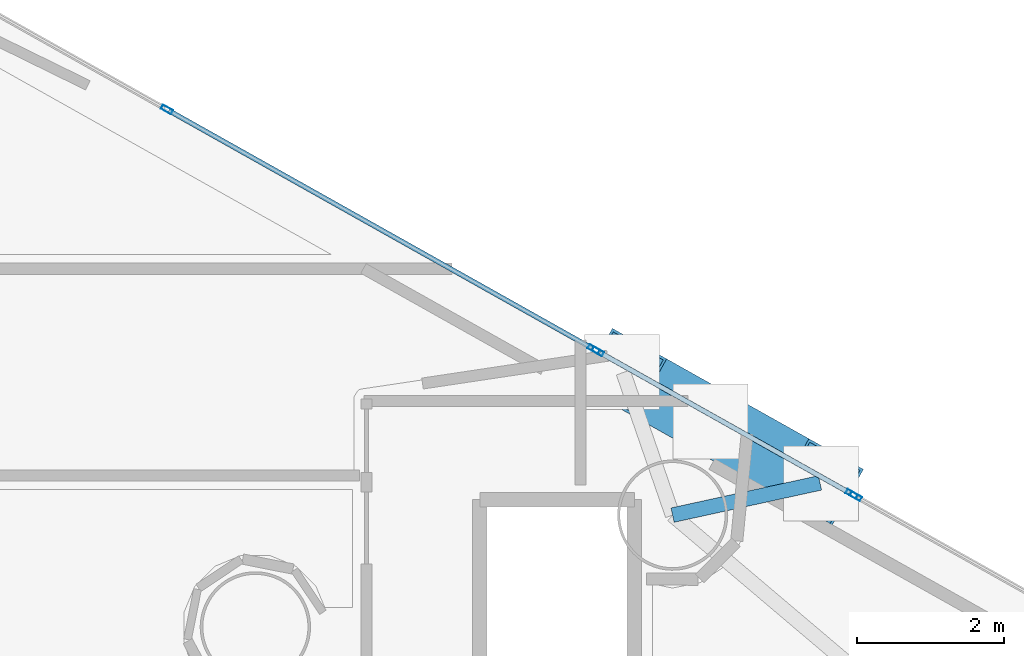
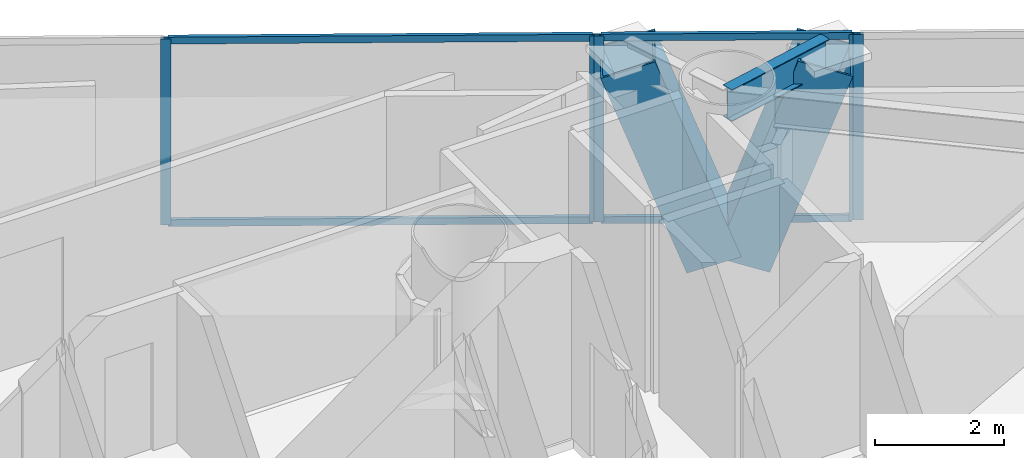
# One storey, part 10 of 19: 11 members, 1 beam, 3 elements without a shape of their own.
"""IFC4 building model written with IfcOpenShell, lengths in metres."""

import ifcopenshell
import ifcopenshell.guid

model = None  # the IFC model being written
_history = None  # IfcOwnerHistory: only IFC2X3 demands one
_inside = {}  # id of a spatial element -> (the spatial element, [elements in it])
_under = {}  # id of a project, library or spatial element -> (it, [spatial elements below it])
_declared = {}  # id of a project -> (the project, [libraries it declares])
_typed = {}  # id of a type object -> (the type object, [elements of that type])
_made_of = {}  # id of a material, layer set ... -> (it, [elements and type objects made of it])


def new_model(schema):
    """Start an empty IFC model of exactly this schema.

    Asked for "IFC4X3", IfcOpenShell would pick the latest addendum, in which some entities
    have other attributes; the version numbers below select the first issue.
    IFC2X3 requires an IfcOwnerHistory on every rooted entity: one is made here for all.
    """
    global model, _history
    if schema == "IFC4X3":
        model = ifcopenshell.file(schema_version=(4, 3, 0, 0))
    else:
        model = ifcopenshell.file(schema=schema)
    _inside.clear()
    _under.clear()
    _declared.clear()
    _typed.clear()
    _made_of.clear()
    _history = None
    if model.schema == "IFC2X3":
        org = make("IfcOrganization", Name="unknown")
        user = make(
            "IfcPersonAndOrganization",
            ThePerson=make("IfcPerson", FamilyName="unknown"),
            TheOrganization=org,
        )
        app = make(
            "IfcApplication",
            ApplicationDeveloper=org,
            Version="unknown",
            ApplicationFullName="unknown",
            ApplicationIdentifier="unknown",
        )
        _history = make(
            "IfcOwnerHistory",
            OwningUser=user,
            OwningApplication=app,
            ChangeAction="ADDED",
            CreationDate=0,
        )
    return model


def make(cls, **values):
    """One entity of the class cls with the attributes given. An attribute that is None is left unset."""
    return model.create_entity(
        cls, **{name: value for name, value in values.items() if value is not None}
    )


def rooted(cls, **values):
    """An entity with a GlobalId (a new one), such as an element, a storey or a relation."""
    return make(cls, GlobalId=ifcopenshell.guid.new(), OwnerHistory=_history, **values)


def si_unit(unit_type, name, prefix=None):
    """IfcSIUnit, for example si_unit("LENGTHUNIT", "METRE", prefix="MILLI")."""
    return make("IfcSIUnit", UnitType=unit_type, Prefix=prefix, Name=name)


def assignment(units):
    """IfcUnitAssignment: the units of a project."""
    return None if units is None else make("IfcUnitAssignment", Units=units)


def point(xyz):
    """IfcCartesianPoint."""
    return None if xyz is None else make("IfcCartesianPoint", Coordinates=xyz)


def direction(xyz):
    """IfcDirection."""
    return None if xyz is None else make("IfcDirection", DirectionRatios=xyz)


def frame(location, z_axis=None, x_axis=None):
    """IfcAxis2Placement3D, a coordinate frame: its origin and axes. An axis left out is left unset."""
    return make(
        "IfcAxis2Placement3D",
        Location=point(location),
        Axis=direction(z_axis),
        RefDirection=direction(x_axis),
    )


def frame_2d(location, x_axis=None):
    """IfcAxis2Placement2D, a coordinate frame in the plane: its origin and x axis."""
    return make(
        "IfcAxis2Placement2D", Location=point(location), RefDirection=direction(x_axis)
    )


def origin():
    """The frame at (0, 0, 0) with its axes left unset."""
    return frame((0.0, 0.0, 0.0))


def origin_2d():
    """The frame at (0, 0) in the plane with its x axis left unset."""
    return frame_2d((0.0, 0.0))


def place(relative_to, where):
    """IfcLocalPlacement: puts the frame where relative to a parent placement (None: the world)."""
    return make(
        "IfcLocalPlacement", PlacementRelTo=relative_to, RelativePlacement=where
    )


def context(
    kind, dimensions, precision=None, world=None, true_north=None, identifier=None
):
    """IfcGeometricRepresentationContext, for example the 3D "Model" context."""
    return make(
        "IfcGeometricRepresentationContext",
        ContextIdentifier=identifier,
        ContextType=kind,
        CoordinateSpaceDimension=dimensions,
        Precision=precision,
        WorldCoordinateSystem=world,
        TrueNorth=true_north,
    )


def subcontext(parent, identifier, kind, view, scale=None):
    """IfcGeometricRepresentationSubContext, for example "Body" below "Model"."""
    return make(
        "IfcGeometricRepresentationSubContext",
        ContextIdentifier=identifier,
        ContextType=kind,
        ParentContext=parent,
        TargetScale=scale,
        TargetView=view,
    )


def project(units=None, contexts=None):
    """IfcProject with its units and contexts."""
    return rooted(
        "IfcProject",
        Name="project",
        RepresentationContexts=contexts,
        UnitsInContext=assignment(units),
    )


def spatial(cls, under=None, at=None, **own):
    """A site, building, storey or space (cls), placed at a placement, below another one or the project."""
    s = rooted(cls, ObjectPlacement=at, **own)
    if under is not None:
        _under.setdefault(under.id(), (under, []))[1].append(s)
    return s


def profile(cls, at=None, kind="AREA", **sizes):
    """A parametric profile (cls). Its sizes go by their IFC names, for example OverallWidth=200.0."""
    return make(cls, ProfileType=kind, Position=at, **sizes)


def hollow_rectangle(**sizes):
    """IfcRectangleHollowProfileDef."""
    return profile("IfcRectangleHollowProfileDef", **sizes)


def i_section(**sizes):
    """IfcIShapeProfileDef."""
    return profile("IfcIShapeProfileDef", **sizes)


def extrude(swept, where, along, depth):
    """IfcExtrudedAreaSolid: the profile swept, set in the frame where, extruded along a direction by depth."""
    return make(
        "IfcExtrudedAreaSolid",
        SweptArea=swept,
        Position=where,
        ExtrudedDirection=direction(along),
        Depth=depth,
    )


def shape(context_of_items, identifier, shape_type, items):
    """IfcShapeRepresentation: the items that make up one representation, for example the "Body"."""
    return make(
        "IfcShapeRepresentation",
        ContextOfItems=context_of_items,
        RepresentationIdentifier=identifier,
        RepresentationType=shape_type,
        Items=items,
    )


def material(Name=None, Category=None):
    """IfcMaterial."""
    return make("IfcMaterial", Name=Name, Category=Category)


def layer(
    of_material, thickness, ventilated=None, Name=None, Category=None, Priority=None
):
    """IfcMaterialLayer: one layer of a wall or slab, of a material (None: an air gap)."""
    return make(
        "IfcMaterialLayer",
        Material=of_material,
        LayerThickness=thickness,
        IsVentilated=ventilated,
        Name=Name,
        Category=Category,
        Priority=Priority,
    )


def layer_set(layers, Name=None):
    """IfcMaterialLayerSet."""
    return make("IfcMaterialLayerSet", MaterialLayers=layers, LayerSetName=Name)


def material_profile(
    of_material, cross_section, Name=None, Category=None, Priority=None
):
    """IfcMaterialProfile: a cross section and its material."""
    return make(
        "IfcMaterialProfile",
        Name=Name,
        Material=of_material,
        Profile=cross_section,
        Priority=Priority,
        Category=Category,
    )


def profile_set(profiles, Name=None, composite=None):
    """IfcMaterialProfileSet."""
    return make(
        "IfcMaterialProfileSet",
        Name=Name,
        MaterialProfiles=profiles,
        CompositeProfile=composite,
    )


def made_of(thing, what):
    """Note that an element or type object is made of a material, layer set ...; save() writes the relation."""
    if what is not None:
        _made_of.setdefault(what.id(), (what, []))[1].append(thing)
    return thing


def type_object(cls, material=None, **own):
    """A type object (cls), such as IfcWallType, which elements share."""
    return made_of(rooted(cls, **own), material)


def element(
    cls,
    number,
    at=None,
    inside=None,
    cuts=None,
    type_object=None,
    material=None,
    context=None,
    identifier="Body",
    shape_type=None,
    held_by="IfcProductDefinitionShape",
    body=None,
    shapes=None,
    **own,
):
    """One element of the class cls, such as IfcWall. Its Tag is "e" and its number.

    at: its placement. inside: the storey or other place that contains it. cuts: it is an
    opening in that element (IfcRelVoidsElement). A single representation is given by context,
    identifier, shape_type and body (its items); several are given by shapes. held_by: the class
    of the entity that holds the representations. save() writes the other relations.
    """
    e = rooted(cls, Tag="e%d" % number, ObjectPlacement=at, **own)
    if body is not None:
        shapes = [shape(context, identifier, shape_type, body)]
    if shapes is not None:
        e.Representation = make(held_by, Representations=shapes)
    if inside is not None:
        _inside.setdefault(inside.id(), (inside, []))[1].append(e)
    if cuts is not None:
        rooted(
            "IfcRelVoidsElement", RelatingBuildingElement=cuts, RelatedOpeningElement=e
        )
    if type_object is not None:
        _typed.setdefault(type_object.id(), (type_object, []))[1].append(e)
    return made_of(e, material)


def aggregate(whole, parts):
    """IfcRelAggregates: a whole, such as a stair, and the parts it consists of."""
    return rooted("IfcRelAggregates", RelatingObject=whole, RelatedObjects=parts)


def save(model, path):
    """Write the relations noted so far, then the file.

    IfcRelAggregates (storeys below a building ...), IfcRelContainedInSpatialStructure (elements
    in a storey), IfcRelDefinesByType, IfcRelAssociatesMaterial and IfcRelDeclares: one each for
    every whole, place, type object, material and project.
    """
    for whole, parts in _under.values():
        aggregate(whole, parts)
    for where, things in _inside.values():
        rooted(
            "IfcRelContainedInSpatialStructure",
            RelatedElements=things,
            RelatingStructure=where,
        )
    for kind, things in _typed.values():
        rooted("IfcRelDefinesByType", RelatedObjects=things, RelatingType=kind)
    for what, things in _made_of.values():
        rooted("IfcRelAssociatesMaterial", RelatedObjects=things, RelatingMaterial=what)
    for by, libraries in _declared.values():
        rooted("IfcRelDeclares", RelatingContext=by, RelatedDefinitions=libraries)
    model.write(path)


model = new_model("IFC4")

# Units and contexts
model_context = context("Model", 3, precision=1e-05, world=origin(), true_north=direction((0.0, 1.0)))
body_context = subcontext(model_context, "Body", "Model", "MODEL_VIEW")
ifc_project = project(units=[si_unit("LENGTHUNIT", "METRE"), si_unit("AREAUNIT", "SQUARE_METRE"), si_unit("VOLUMEUNIT", "CUBIC_METRE"), si_unit("PLANEANGLEUNIT", "RADIAN"), si_unit("MASSUNIT", "GRAM", prefix="KILO")], contexts=[model_context])

# Site, building, storey
site_placement = place(None, origin())
site = spatial("IfcSite", under=ifc_project, at=site_placement, CompositionType="ELEMENT")
building_placement = place(site_placement, origin())
building = spatial("IfcBuilding", under=site, at=building_placement, Name="Qianvela Tower", CompositionType="ELEMENT")
storey_placement = place(building_placement, frame((0.0, 0.0, 123.699951171875)))
storey = spatial("IfcBuildingStorey", under=building, at=storey_placement, Name="L31", CompositionType="ELEMENT", Elevation=123.699951171875)

# Beam
ifc_material_1 = material(Name="Steel Q355B", Category="steel")
ifc_material_profile_1 = material_profile(ifc_material_1, i_section(OverallWidth=0.199951171875, OverallDepth=0.60009765625, WebThickness=0.010986328125, FlangeThickness=0.01708984375, at=origin_2d()), Name="HN600x200x11x17")
ifc_profile_set_1 = profile_set([ifc_material_profile_1], Name="Steel Q355B")
beam_type = type_object("IfcBeamType", Name="BM-HN600-GIRD", PredefinedType="BEAM", material=ifc_profile_set_1)
beam_placement = place(storey_placement, frame((44.071044921875, 35.070068359375, 3.218017578125), z_axis=(0.976951249885, 0.213462538514, 0.0), x_axis=(-0.213462538514, 0.976951249885, 0.0)))
element("IfcBeam", 1, at=beam_placement, inside=storey, type_object=beam_type, Name="L31 Mega-Brace Column Tie Bracket F1-1", PredefinedType="BEAM", context=body_context, shape_type="SweptSolid", body=[
    extrude(i_section(OverallWidth=0.199951171875, OverallDepth=0.60009765625, WebThickness=0.010986328125, FlangeThickness=0.01708984375, at=origin_2d()), origin(), (0.0, 0.0, 1.0), 2.05078125),
])

# Curtain wall, members
ifc_material_2 = material(Name="Anodised Architectural Aluminium and Insulated Spandrel Panel", Category="aluminium")
ifc_layer_1 = layer(ifc_material_2, 0.179931640625)
ifc_layer_set_1 = layer_set([ifc_layer_1], Name="Anodised Architectural Aluminium and Insulated Spandrel Panel")
curtain_wall_type_1 = type_object("IfcCurtainWallType", Name="CW-BRACEBAY", PredefinedType="USERDEFINED", material=ifc_layer_set_1)
curtain_wall_1_placement = place(storey_placement, origin())
curtain_wall_1 = element("IfcCurtainWall", 2, at=curtain_wall_1_placement, inside=storey, type_object=curtain_wall_type_1, Name="L31 CW-BRACEBAY Curtain Wall 02B", ObjectType="CURTAIN_WALL_SYSTEM", PredefinedType="USERDEFINED")
ifc_material_3 = material(Name="Anodised Architectural Aluminium 6063-T6", Category="aluminium")
ifc_material_profile_2 = material_profile(ifc_material_3, hollow_rectangle(XDim=0.06494140625, YDim=0.159912109375, WallThickness=0.0048828125, at=origin_2d()), Name="ALU-MULL-65x160")
ifc_profile_set_2 = profile_set([ifc_material_profile_2], Name="Anodised Architectural Aluminium 6063-T6")
member_type_1 = type_object("IfcMemberType", Name="CW-BRACEBAY-MULL", PredefinedType="MULLION", material=ifc_profile_set_2)
member_1_placement = place(storey_placement, frame((46.504150390625, 35.358154296875, 0.0), z_axis=(0.0, 0.0, 1.0), x_axis=(-0.489593820372, -0.871950624206, 0.0)))
member_1 = element("IfcMember", 3, at=member_1_placement, type_object=member_type_1, Name="CW-9 mullion 1", PredefinedType="MULLION", context=body_context, shape_type="SweptSolid", body=[
    extrude(hollow_rectangle(XDim=0.06494140625, YDim=0.159912109375, WallThickness=0.0048828125, at=origin_2d()), origin(), (0.0, 0.0, 1.0), 3.52001953125),
])
member_2_placement = place(storey_placement, frame((43.055419921875, 37.29443359375, 0.0), z_axis=(0.0, 0.0, 1.0), x_axis=(-0.489593820372, -0.871950624206, 0.0)))
member_2 = element("IfcMember", 4, at=member_2_placement, type_object=member_type_1, Name="CW-9 mullion 2", PredefinedType="MULLION", context=body_context, shape_type="SweptSolid", body=[
    extrude(hollow_rectangle(XDim=0.06494140625, YDim=0.159912109375, WallThickness=0.0048828125, at=origin_2d()), origin(), (0.0, 0.0, 1.0), 3.52001953125),
])
ifc_material_4 = material(Name="Anodised Architectural Aluminium 6063-T6", Category="aluminium")
ifc_material_profile_3 = material_profile(ifc_material_4, hollow_rectangle(XDim=0.06494140625, YDim=0.1298828125, WallThickness=0.00439453125, at=origin_2d()), Name="ALU-TRAN-65x130")
ifc_profile_set_3 = profile_set([ifc_material_profile_3], Name="Anodised Architectural Aluminium 6063-T6")
member_type_2 = type_object("IfcMemberType", Name="CW-BRACEBAY-TRAN", PredefinedType="USERDEFINED", material=ifc_profile_set_3)
member_3_placement = place(storey_placement, frame((46.475830078125, 35.3740234375, 0.032470703125), z_axis=(-0.871945711641, 0.489602569388, 0.0), x_axis=(-0.489602569388, -0.871945711641, 0.0)))
member_3 = element("IfcMember", 5, at=member_3_placement, type_object=member_type_2, Name="CW-9 transom 1.1", ObjectType="TRANSOM", PredefinedType="USERDEFINED", context=body_context, shape_type="SweptSolid", body=[
    extrude(hollow_rectangle(XDim=0.06494140625, YDim=0.1298828125, WallThickness=0.00439453125, at=origin_2d()), origin(), (0.0, 0.0, 1.0), 3.889892578125),
])
member_4_placement = place(storey_placement, frame((46.475830078125, 35.3740234375, 3.487548828125), z_axis=(-0.871945711641, 0.489602569388, 0.0), x_axis=(-0.489602569388, -0.871945711641, 0.0)))
member_4 = element("IfcMember", 6, at=member_4_placement, type_object=member_type_2, Name="CW-9 transom 1.2", ObjectType="TRANSOM", PredefinedType="USERDEFINED", context=body_context, shape_type="SweptSolid", body=[
    extrude(hollow_rectangle(XDim=0.06494140625, YDim=0.1298828125, WallThickness=0.00439453125, at=origin_2d()), origin(), (0.0, 0.0, 1.0), 3.889892578125),
])
aggregate(curtain_wall_1, [member_1, member_2, member_3, member_4])

# Curtain wall, member
ifc_material_5 = material(Name="Anodised Architectural Aluminium and Low-E Glass", Category="aluminium")
ifc_layer_2 = layer(ifc_material_5, 0.169921875)
ifc_layer_set_2 = layer_set([ifc_layer_2], Name="Anodised Architectural Aluminium and Low-E Glass")
curtain_wall_type_2 = type_object("IfcCurtainWallType", Name="CW-COLIV-Z34", PredefinedType="USERDEFINED", material=ifc_layer_set_2)
curtain_wall_2_placement = place(storey_placement, origin())
curtain_wall_2 = element("IfcCurtainWall", 7, at=curtain_wall_2_placement, inside=storey, type_object=curtain_wall_type_2, Name="L31 CW-COLIV-Z34 Curtain Wall 02A", ObjectType="CURTAIN_WALL_SYSTEM", PredefinedType="USERDEFINED")
ifc_material_6 = material(Name="Anodised Architectural Aluminium 6063-T6", Category="aluminium")
ifc_material_profile_4 = material_profile(ifc_material_6, hollow_rectangle(XDim=0.06494140625, YDim=0.159912109375, WallThickness=0.0048828125, at=origin_2d()), Name="ALU-MULL-65x160")
ifc_profile_set_4 = profile_set([ifc_material_profile_4], Name="Anodised Architectural Aluminium 6063-T6")
member_type_3 = type_object("IfcMemberType", Name="CW-COLIV-Z34-MULL", PredefinedType="MULLION", material=ifc_profile_set_4)
member_5_placement = place(storey_placement, frame((46.560791015625, 35.326171875, 0.0), z_axis=(0.0, 0.0, 1.0), x_axis=(-0.48957603275, -0.871960611586, 0.0)))
member_5 = element("IfcMember", 8, at=member_5_placement, type_object=member_type_3, Name="CW-4 mullion 3", PredefinedType="MULLION", context=body_context, shape_type="SweptSolid", body=[
    extrude(hollow_rectangle(XDim=0.06494140625, YDim=0.159912109375, WallThickness=0.0048828125, at=origin_2d()), origin(), (0.0, 0.0, 1.0), 3.52001953125),
])
aggregate(curtain_wall_2, [member_5])

# Curtain wall, members
curtain_wall_3_placement = place(storey_placement, origin())
curtain_wall_3 = element("IfcCurtainWall", 9, at=curtain_wall_3_placement, inside=storey, type_object=curtain_wall_type_2, Name="L31 CW-COLIV-Z34 Curtain Wall 02C", ObjectType="CURTAIN_WALL_SYSTEM", PredefinedType="USERDEFINED")
member_6_placement = place(storey_placement, frame((42.998779296875, 37.326416015625, 0.0), z_axis=(0.0, 0.0, 1.0), x_axis=(-0.489576251563, -0.87196048873, 0.0)))
member_6 = element("IfcMember", 10, at=member_6_placement, type_object=member_type_3, Name="CW-4 mullion 1", PredefinedType="MULLION", context=body_context, shape_type="SweptSolid", body=[
    extrude(hollow_rectangle(XDim=0.06494140625, YDim=0.159912109375, WallThickness=0.0048828125, at=origin_2d()), origin(), (0.0, 0.0, 1.0), 3.52001953125),
])
member_7_placement = place(storey_placement, frame((37.19677734375, 40.583984375, 0.0), z_axis=(0.0, 0.0, 1.0), x_axis=(-0.489576251563, -0.87196048873, 0.0)))
member_7 = element("IfcMember", 11, at=member_7_placement, type_object=member_type_3, Name="CW-4 mullion 2", PredefinedType="MULLION", context=body_context, shape_type="SweptSolid", body=[
    extrude(hollow_rectangle(XDim=0.06494140625, YDim=0.159912109375, WallThickness=0.0048828125, at=origin_2d()), origin(), (0.0, 0.0, 1.0), 3.52001953125),
])
ifc_material_7 = material(Name="Anodised Architectural Aluminium 6063-T6", Category="aluminium")
ifc_material_profile_5 = material_profile(ifc_material_7, hollow_rectangle(XDim=0.06494140625, YDim=0.1298828125, WallThickness=0.00439453125, at=origin_2d()), Name="ALU-TRAN-65x130")
ifc_profile_set_5 = profile_set([ifc_material_profile_5], Name="Anodised Architectural Aluminium 6063-T6")
member_type_4 = type_object("IfcMemberType", Name="CW-COLIV-Z34-TRAN", PredefinedType="USERDEFINED", material=ifc_profile_set_5)
member_8_placement = place(storey_placement, frame((42.970458984375, 37.34228515625, 0.032470703125), z_axis=(-0.871960198315, 0.489576768807, 0.0), x_axis=(-0.489576768807, -0.871960198315, 0.0)))
member_8 = element("IfcMember", 12, at=member_8_placement, type_object=member_type_4, Name="CW-4 transom 1.1", ObjectType="TRANSOM", PredefinedType="USERDEFINED", context=body_context, shape_type="SweptSolid", body=[
    extrude(hollow_rectangle(XDim=0.06494140625, YDim=0.1298828125, WallThickness=0.00439453125, at=origin_2d()), origin(), (0.0, 0.0, 1.0), 6.589111328125),
])
member_9_placement = place(storey_placement, frame((42.970458984375, 37.34228515625, 3.487548828125), z_axis=(-0.871960198315, 0.489576768807, 0.0), x_axis=(-0.489576768807, -0.871960198315, 0.0)))
member_9 = element("IfcMember", 13, at=member_9_placement, type_object=member_type_4, Name="CW-4 transom 1.2", ObjectType="TRANSOM", PredefinedType="USERDEFINED", context=body_context, shape_type="SweptSolid", body=[
    extrude(hollow_rectangle(XDim=0.06494140625, YDim=0.1298828125, WallThickness=0.00439453125, at=origin_2d()), origin(), (0.0, 0.0, 1.0), 6.589111328125),
])
aggregate(curtain_wall_3, [member_6, member_7, member_8, member_9])

# Members
ifc_material_8 = material(Name="Steel Q420GJC", Category="steel")
ifc_material_profile_6 = material_profile(ifc_material_8, hollow_rectangle(XDim=0.89990234375, YDim=0.89990234375, WallThickness=0.035888671875, at=origin_2d()), Name="MBOX-900x900x36")
ifc_profile_set_6 = profile_set([ifc_material_profile_6], Name="Steel Q420GJC")
member_type_5 = type_object("IfcMemberType", Name="MBR-MBRACE-900", PredefinedType="BRACE", material=ifc_profile_set_6)
member_10_placement = place(storey_placement, frame((44.9501953125, 36.138916015625, -0.48193359375), z_axis=(0.286938291638, -0.161071766316, 0.944310490722), x_axis=(0.489496866421, 0.872005056043, 0.0)))
element("IfcMember", 14, at=member_10_placement, inside=storey, type_object=member_type_5, Name="L31 Tier 5 Exterior Mega-Brace F1A", PredefinedType="BRACE", context=body_context, shape_type="SweptSolid", body=[
    extrude(hollow_rectangle(XDim=0.89990234375, YDim=0.89990234375, WallThickness=0.035888671875, at=origin_2d()), origin(), (0.0, 0.0, 1.0), 3.918212890625),
])
member_11_placement = place(storey_placement, frame((44.56640625, 36.354248046875, -0.48193359375), z_axis=(-0.296105022979, 0.166268152706, 0.940572547315), x_axis=(-0.489610330454, -0.871941353712, 0.0)))
element("IfcMember", 15, at=member_11_placement, inside=storey, type_object=member_type_5, Name="L31 Tier 5 Exterior Mega-Brace F1B", PredefinedType="BRACE", context=body_context, shape_type="SweptSolid", body=[
    extrude(hollow_rectangle(XDim=0.89990234375, YDim=0.89990234375, WallThickness=0.035888671875, at=origin_2d()), origin(), (0.0, 0.0, 1.0), 3.933837890625),
])

save(model, "model.ifc")
